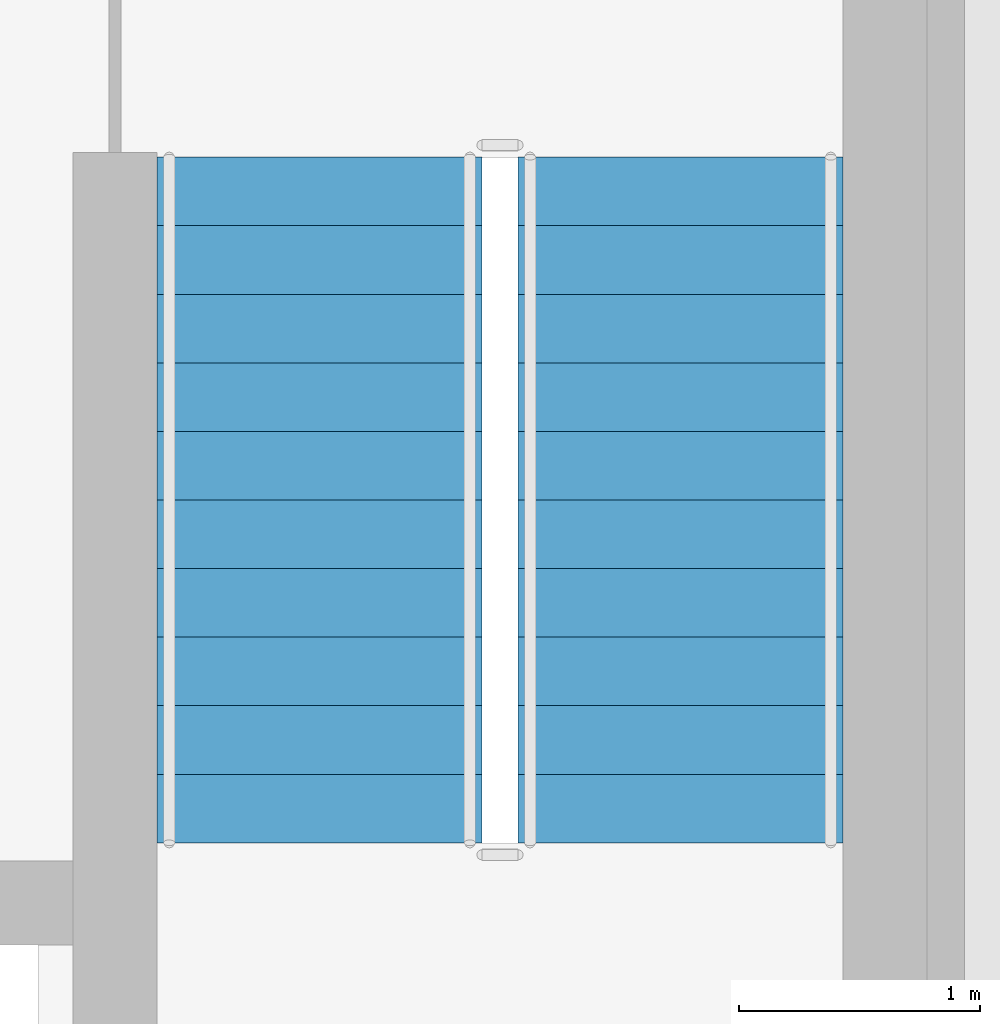
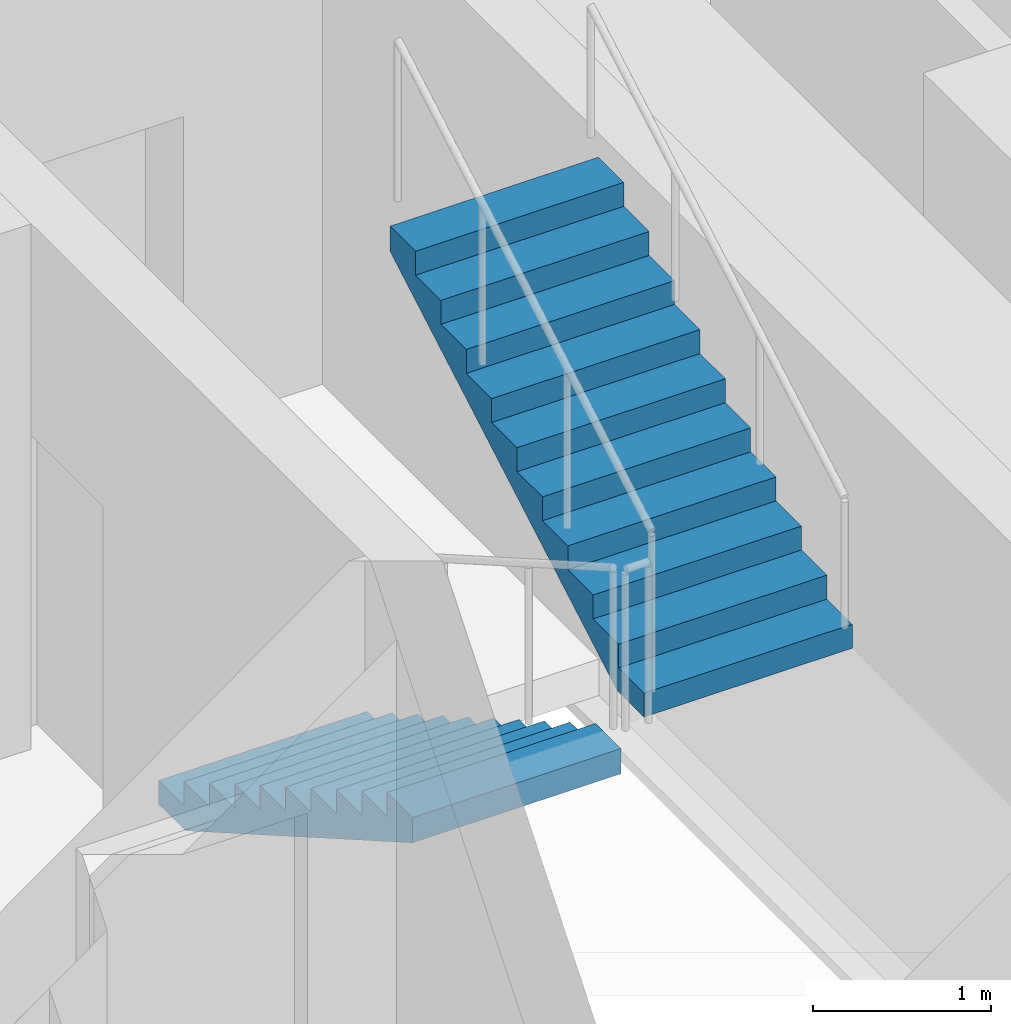
# One storey, part 11 of 13: 2 stair flights, 1 element without a shape of its own.
"""IFC4 building model written with IfcOpenShell, lengths in metres."""

import ifcopenshell
import ifcopenshell.guid

model = None  # the IFC model being written
_history = None  # IfcOwnerHistory: only IFC2X3 demands one
_inside = {}  # id of a spatial element -> (the spatial element, [elements in it])
_under = {}  # id of a project, library or spatial element -> (it, [spatial elements below it])
_declared = {}  # id of a project -> (the project, [libraries it declares])
_typed = {}  # id of a type object -> (the type object, [elements of that type])
_made_of = {}  # id of a material, layer set ... -> (it, [elements and type objects made of it])


def new_model(schema):
    """Start an empty IFC model of exactly this schema.

    Asked for "IFC4X3", IfcOpenShell would pick the latest addendum, in which some entities
    have other attributes; the version numbers below select the first issue.
    IFC2X3 requires an IfcOwnerHistory on every rooted entity: one is made here for all.
    """
    global model, _history
    if schema == "IFC4X3":
        model = ifcopenshell.file(schema_version=(4, 3, 0, 0))
    else:
        model = ifcopenshell.file(schema=schema)
    _inside.clear()
    _under.clear()
    _declared.clear()
    _typed.clear()
    _made_of.clear()
    _history = None
    if model.schema == "IFC2X3":
        org = make("IfcOrganization", Name="unknown")
        user = make(
            "IfcPersonAndOrganization",
            ThePerson=make("IfcPerson", FamilyName="unknown"),
            TheOrganization=org,
        )
        app = make(
            "IfcApplication",
            ApplicationDeveloper=org,
            Version="unknown",
            ApplicationFullName="unknown",
            ApplicationIdentifier="unknown",
        )
        _history = make(
            "IfcOwnerHistory",
            OwningUser=user,
            OwningApplication=app,
            ChangeAction="ADDED",
            CreationDate=0,
        )
    return model


def make(cls, **values):
    """One entity of the class cls with the attributes given. An attribute that is None is left unset."""
    return model.create_entity(
        cls, **{name: value for name, value in values.items() if value is not None}
    )


def rooted(cls, **values):
    """An entity with a GlobalId (a new one), such as an element, a storey or a relation."""
    return make(cls, GlobalId=ifcopenshell.guid.new(), OwnerHistory=_history, **values)


def si_unit(unit_type, name, prefix=None):
    """IfcSIUnit, for example si_unit("LENGTHUNIT", "METRE", prefix="MILLI")."""
    return make("IfcSIUnit", UnitType=unit_type, Prefix=prefix, Name=name)


def assignment(units):
    """IfcUnitAssignment: the units of a project."""
    return None if units is None else make("IfcUnitAssignment", Units=units)


def point(xyz):
    """IfcCartesianPoint."""
    return None if xyz is None else make("IfcCartesianPoint", Coordinates=xyz)


def direction(xyz):
    """IfcDirection."""
    return None if xyz is None else make("IfcDirection", DirectionRatios=xyz)


def frame(location, z_axis=None, x_axis=None):
    """IfcAxis2Placement3D, a coordinate frame: its origin and axes. An axis left out is left unset."""
    return make(
        "IfcAxis2Placement3D",
        Location=point(location),
        Axis=direction(z_axis),
        RefDirection=direction(x_axis),
    )


def origin():
    """The frame at (0, 0, 0) with its axes left unset."""
    return frame((0.0, 0.0, 0.0))


def place(relative_to, where):
    """IfcLocalPlacement: puts the frame where relative to a parent placement (None: the world)."""
    return make(
        "IfcLocalPlacement", PlacementRelTo=relative_to, RelativePlacement=where
    )


def context(
    kind, dimensions, precision=None, world=None, true_north=None, identifier=None
):
    """IfcGeometricRepresentationContext, for example the 3D "Model" context."""
    return make(
        "IfcGeometricRepresentationContext",
        ContextIdentifier=identifier,
        ContextType=kind,
        CoordinateSpaceDimension=dimensions,
        Precision=precision,
        WorldCoordinateSystem=world,
        TrueNorth=true_north,
    )


def subcontext(parent, identifier, kind, view, scale=None):
    """IfcGeometricRepresentationSubContext, for example "Body" below "Model"."""
    return make(
        "IfcGeometricRepresentationSubContext",
        ContextIdentifier=identifier,
        ContextType=kind,
        ParentContext=parent,
        TargetScale=scale,
        TargetView=view,
    )


def project(units=None, contexts=None):
    """IfcProject with its units and contexts."""
    return rooted(
        "IfcProject",
        Name="project",
        RepresentationContexts=contexts,
        UnitsInContext=assignment(units),
    )


def spatial(cls, under=None, at=None, **own):
    """A site, building, storey or space (cls), placed at a placement, below another one or the project."""
    s = rooted(cls, ObjectPlacement=at, **own)
    if under is not None:
        _under.setdefault(under.id(), (under, []))[1].append(s)
    return s


def polyline(points):
    """IfcPolyline through the points."""
    return make("IfcPolyline", Points=[point(p) for p in points])


def outline(outer, holes=None, kind="AREA"):
    """IfcArbitraryClosedProfileDef: a profile drawn as a closed curve; with holes, ...WithVoids."""
    if holes is None:
        return make("IfcArbitraryClosedProfileDef", ProfileType=kind, OuterCurve=outer)
    return make(
        "IfcArbitraryProfileDefWithVoids",
        ProfileType=kind,
        OuterCurve=outer,
        InnerCurves=holes,
    )


def extrude(swept, where, along, depth):
    """IfcExtrudedAreaSolid: the profile swept, set in the frame where, extruded along a direction by depth."""
    return make(
        "IfcExtrudedAreaSolid",
        SweptArea=swept,
        Position=where,
        ExtrudedDirection=direction(along),
        Depth=depth,
    )


def shape(context_of_items, identifier, shape_type, items):
    """IfcShapeRepresentation: the items that make up one representation, for example the "Body"."""
    return make(
        "IfcShapeRepresentation",
        ContextOfItems=context_of_items,
        RepresentationIdentifier=identifier,
        RepresentationType=shape_type,
        Items=items,
    )


def material(Name=None, Category=None):
    """IfcMaterial."""
    return make("IfcMaterial", Name=Name, Category=Category)


def made_of(thing, what):
    """Note that an element or type object is made of a material, layer set ...; save() writes the relation."""
    if what is not None:
        _made_of.setdefault(what.id(), (what, []))[1].append(thing)
    return thing


def type_object(cls, material=None, **own):
    """A type object (cls), such as IfcWallType, which elements share."""
    return made_of(rooted(cls, **own), material)


def element(
    cls,
    number,
    at=None,
    inside=None,
    cuts=None,
    type_object=None,
    material=None,
    context=None,
    identifier="Body",
    shape_type=None,
    held_by="IfcProductDefinitionShape",
    body=None,
    shapes=None,
    **own,
):
    """One element of the class cls, such as IfcWall. Its Tag is "e" and its number.

    at: its placement. inside: the storey or other place that contains it. cuts: it is an
    opening in that element (IfcRelVoidsElement). A single representation is given by context,
    identifier, shape_type and body (its items); several are given by shapes. held_by: the class
    of the entity that holds the representations. save() writes the other relations.
    """
    e = rooted(cls, Tag="e%d" % number, ObjectPlacement=at, **own)
    if body is not None:
        shapes = [shape(context, identifier, shape_type, body)]
    if shapes is not None:
        e.Representation = make(held_by, Representations=shapes)
    if inside is not None:
        _inside.setdefault(inside.id(), (inside, []))[1].append(e)
    if cuts is not None:
        rooted(
            "IfcRelVoidsElement", RelatingBuildingElement=cuts, RelatedOpeningElement=e
        )
    if type_object is not None:
        _typed.setdefault(type_object.id(), (type_object, []))[1].append(e)
    return made_of(e, material)


def aggregate(whole, parts):
    """IfcRelAggregates: a whole, such as a stair, and the parts it consists of."""
    return rooted("IfcRelAggregates", RelatingObject=whole, RelatedObjects=parts)


def save(model, path):
    """Write the relations noted so far, then the file.

    IfcRelAggregates (storeys below a building ...), IfcRelContainedInSpatialStructure (elements
    in a storey), IfcRelDefinesByType, IfcRelAssociatesMaterial and IfcRelDeclares: one each for
    every whole, place, type object, material and project.
    """
    for whole, parts in _under.values():
        aggregate(whole, parts)
    for where, things in _inside.values():
        rooted(
            "IfcRelContainedInSpatialStructure",
            RelatedElements=things,
            RelatingStructure=where,
        )
    for kind, things in _typed.values():
        rooted("IfcRelDefinesByType", RelatedObjects=things, RelatingType=kind)
    for what, things in _made_of.values():
        rooted("IfcRelAssociatesMaterial", RelatedObjects=things, RelatingMaterial=what)
    for by, libraries in _declared.values():
        rooted("IfcRelDeclares", RelatingContext=by, RelatedDefinitions=libraries)
    model.write(path)


model = new_model("IFC4")

# Units and contexts
model_context = context("Model", 3, precision=1e-05, world=origin(), true_north=direction((0.0, 1.0)))
body_context = subcontext(model_context, "Body", "Model", "MODEL_VIEW")
ifc_project = project(units=[si_unit("LENGTHUNIT", "METRE"), si_unit("AREAUNIT", "SQUARE_METRE"), si_unit("VOLUMEUNIT", "CUBIC_METRE"), si_unit("PLANEANGLEUNIT", "RADIAN"), si_unit("MASSUNIT", "GRAM", prefix="KILO")], contexts=[model_context])

# Site, building, storey
site_placement = place(None, origin())
site = spatial("IfcSite", under=ifc_project, at=site_placement, CompositionType="ELEMENT")
building_placement = place(site_placement, origin())
building = spatial("IfcBuilding", under=site, at=building_placement, Name="Almagre Mirador Tower", CompositionType="ELEMENT")
storey_placement = place(building_placement, frame((0.0, 0.0, 96.60009765625)))
storey = spatial("IfcBuildingStorey", under=building, at=storey_placement, Name="L24", CompositionType="ELEMENT", Elevation=96.60009765625)

# Stair, stair flights
ifc_material_1 = material(Name="Concrete C45/55", Category="concrete")
stair_type = type_object("IfcStairType", Name="STR-DL-3600", PredefinedType="HALF_TURN_STAIR", material=ifc_material_1)
stair_placement = place(storey_placement, origin())
stair = element("IfcStair", 1, at=stair_placement, inside=storey, type_object=stair_type, Name="L24 Protected exit stair ST-3", PredefinedType="HALF_TURN_STAIR")
ifc_material_2 = material(Name="Concrete C45/55", Category="concrete")
stair_flight_type = type_object("IfcStairFlightType", Name="FLT-DL-3600", PredefinedType="STRAIGHT", material=ifc_material_2)
stair_flight_1_placement = place(storey_placement, frame((44.14990234375, 11.199951171875, 0.0), z_axis=(0.0, 0.0, 1.0), x_axis=(0.0, -1.0, 0.0)))
stair_flight_1 = element("IfcStairFlight", 2, at=stair_flight_1_placement, type_object=stair_flight_type, Name="ST-3 flight 1", NumberOfRisers=11, NumberOfTreads=10, PredefinedType="STRAIGHT", RiserHeight=0.163636364, TreadLength=0.285, context=body_context, shape_type="SweptSolid", body=[
    extrude(outline(polyline([(0.0, 0.0), (0.0, 0.16357421875), (0.284912109375, 0.16357421875), (0.284912109375, 0.327392578125), (0.570068359375, 0.327392578125), (0.570068359375, 0.490966796875), (0.85498046875, 0.490966796875), (0.85498046875, 0.654541015625), (1.139892578125, 0.654541015625), (1.139892578125, 0.818115234375), (1.425048828125, 0.818115234375), (1.425048828125, 0.98193359375), (1.7099609375, 0.98193359375), (1.7099609375, 1.1455078125), (1.9951171875, 1.1455078125), (1.9951171875, 1.30908203125), (2.280029296875, 1.30908203125), (2.280029296875, 1.47265625), (2.56494140625, 1.47265625), (2.56494140625, 1.636474609375), (2.85009765625, 1.636474609375), (2.85009765625, 1.800048828125), (2.85009765625, 1.463623046875), (0.301025390625, 0.0), (0.0, 0.0)])), frame((0.0, 0.675048828125, 0.0), z_axis=(0.0, -1.0, 0.0), x_axis=(1.0, 0.0, 0.0)), (0.0, 0.0, 1.0), 1.35009765625),
])
stair_flight_2_placement = place(storey_placement, frame((45.64990234375, 8.35009765625, 1.7998046875), z_axis=(0.0, 0.0, 1.0), x_axis=(0.0, 1.0, 0.0)))
stair_flight_2 = element("IfcStairFlight", 3, at=stair_flight_2_placement, type_object=stair_flight_type, Name="ST-3 flight 2", NumberOfRisers=11, NumberOfTreads=10, PredefinedType="STRAIGHT", RiserHeight=0.163636364, TreadLength=0.285, context=body_context, shape_type="SweptSolid", body=[
    extrude(outline(polyline([(0.0, 0.0), (0.0, 0.16357421875), (0.284912109375, 0.16357421875), (0.284912109375, 0.327392578125), (0.570068359375, 0.327392578125), (0.570068359375, 0.490966796875), (0.85498046875, 0.490966796875), (0.85498046875, 0.654541015625), (1.139892578125, 0.654541015625), (1.139892578125, 0.818115234375), (1.425048828125, 0.818115234375), (1.425048828125, 0.98193359375), (1.7099609375, 0.98193359375), (1.7099609375, 1.1455078125), (1.9951171875, 1.1455078125), (1.9951171875, 1.30908203125), (2.280029296875, 1.30908203125), (2.280029296875, 1.47265625), (2.56494140625, 1.47265625), (2.56494140625, 1.636474609375), (2.85009765625, 1.636474609375), (2.85009765625, 1.800048828125), (2.85009765625, 1.463623046875), (0.301025390625, 0.0), (0.0, 0.0)])), frame((0.0, 0.675048828125, 0.0), z_axis=(0.0, -1.0, 0.0), x_axis=(1.0, 0.0, 0.0)), (0.0, 0.0, 1.0), 1.35009765625),
])
aggregate(stair, [stair_flight_1, stair_flight_2])

save(model, "model.ifc")
